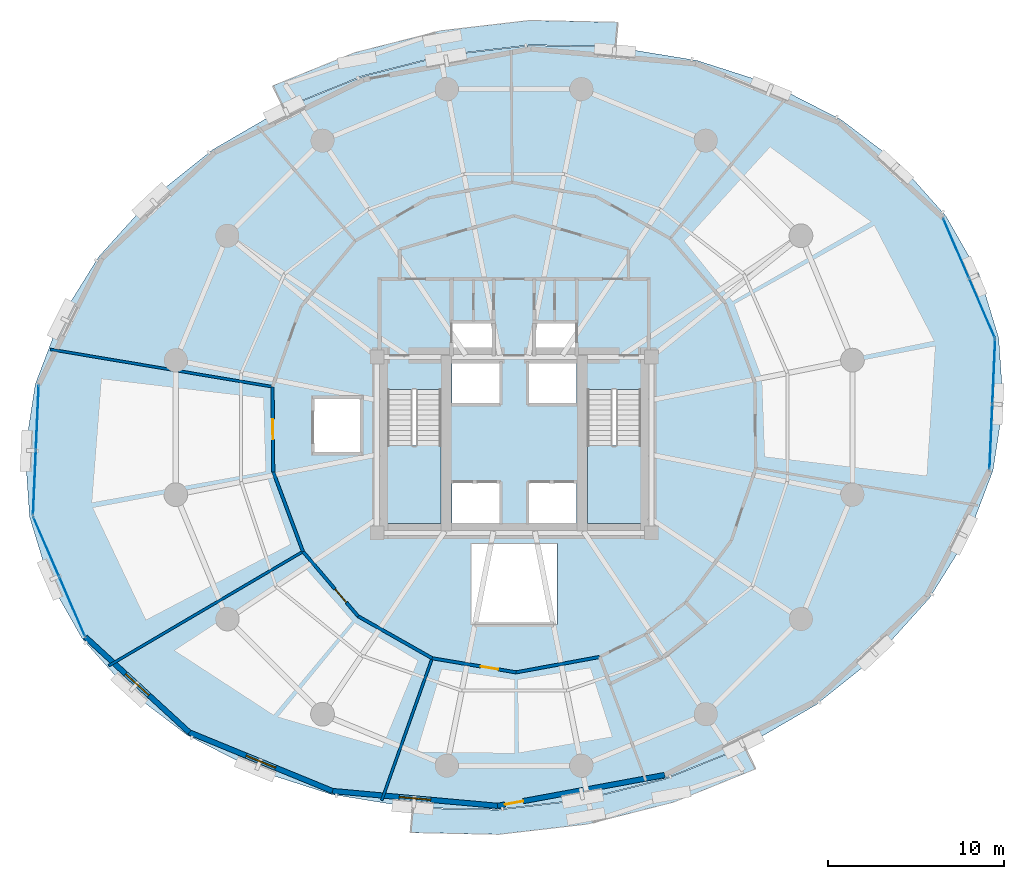
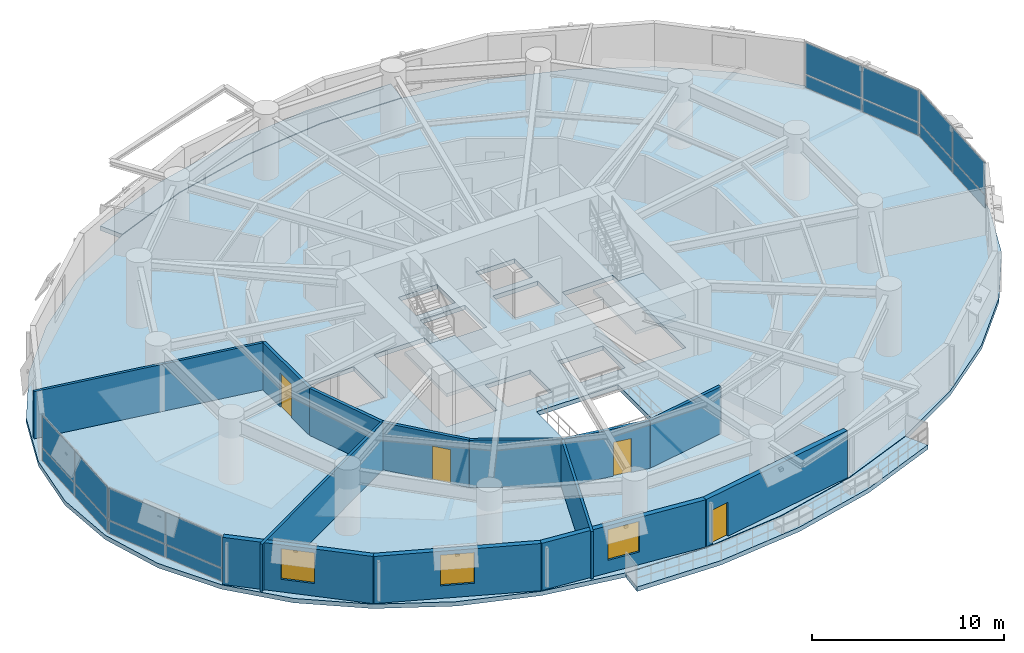
# One storey, part 11 of 17: 16 plates, 13 walls, 5 slabs, 4 doors, 3 windows, 7 openings, 6 elements without a shape of their own.
"""IFC4 building model written with IfcOpenShell, lengths in metres."""

from ifc_helpers import new_model, si_unit, direction, frame, frame_2d, origin, origin_2d, place, context, subcontext, project, spatial, polyline, rectangle, outline, extrude, material, layer, layer_set, type_object, element, fill, aggregate, save


model = new_model("IFC4")

# Units and contexts
model_context = context("Model", 3, precision=1e-05, world=origin(), true_north=direction((0.0, 1.0)))
body_context = subcontext(model_context, "Body", "Model", "MODEL_VIEW")
ifc_project = project(units=[si_unit("LENGTHUNIT", "METRE"), si_unit("AREAUNIT", "SQUARE_METRE"), si_unit("VOLUMEUNIT", "CUBIC_METRE"), si_unit("PLANEANGLEUNIT", "RADIAN"), si_unit("MASSUNIT", "GRAM", prefix="KILO"), si_unit("THERMODYNAMICTEMPERATUREUNIT", "KELVIN"), si_unit("POWERUNIT", "WATT")], contexts=[model_context])

# Site, building, storey
site_placement = place(None, origin())
site = spatial("IfcSite", under=ifc_project, at=site_placement, CompositionType="ELEMENT")
building_placement = place(site_placement, origin())
building = spatial("IfcBuilding", under=site, at=building_placement, Name="Ocrelia Relay Tower", CompositionType="ELEMENT")
storey_placement = place(building_placement, frame((0.0, 0.0, 76.199951171875)))
storey = spatial("IfcBuildingStorey", under=building, at=storey_placement, Name="L17", CompositionType="ELEMENT", Elevation=76.199951171875)

# Curtain wall, plates
ifc_material_1 = material(Name="Aluminium and solar-control low-E glass", Category="aluminium")
ifc_layer_1 = layer(ifc_material_1, 0.179931640625, Name="Aluminium and solar-control low-E glass")
ifc_layer_set_1 = layer_set([ifc_layer_1], Name="Aluminium and solar-control low-E glass")
curtain_wall_type = type_object("IfcCurtainWallType", Name="CW-SYS-Z1-DATA", PredefinedType="NOTDEFINED", material=ifc_layer_set_1)
curtain_wall_1_placement = place(storey_placement, origin())
curtain_wall_1 = element("IfcCurtainWall", 1, at=curtain_wall_1_placement, inside=storey, type_object=curtain_wall_type, Name="L17 Elliptical Tower Curtain Wall Bay 01", PredefinedType="NOTDEFINED")
ifc_material_2 = material(Name="Clear double-glazed low-E glass", Category="glass")
ifc_layer_2 = layer(ifc_material_2, 0.031982421875, Name="Clear double-glazed low-E glass")
ifc_layer_set_2 = layer_set([ifc_layer_2], Name="Clear double-glazed low-E glass")
plate_type = type_object("IfcPlateType", Name="CW-SYS-Z1-DATA-PNL", PredefinedType="CURTAIN_PANEL", material=ifc_layer_set_2)
plate_1_placement = place(storey_placement, frame((60.58935546875, 32.7734375, 0.06494140625), z_axis=(0.0, 0.0, 1.0), x_axis=(-0.397313471249, 0.917682954818, 0.0)))
plate_1 = element("IfcPlate", 2, at=plate_1_placement, type_object=plate_type, Name="CW-Z1 panel 1.1", PredefinedType="CURTAIN_PANEL", context=body_context, shape_type="SweptSolid", body=[
    extrude(rectangle(XDim=3.6328125, YDim=0.031982421875, at=origin_2d()), origin(), (0.0, 0.0, 1.0), 0.802490234375),
])
plate_2_placement = place(storey_placement, frame((60.58935546875, 32.7734375, 0.9326171875), z_axis=(0.0, 0.0, 1.0), x_axis=(-0.397313471249, 0.917682954818, 0.0)))
plate_2 = element("IfcPlate", 3, at=plate_2_placement, type_object=plate_type, Name="CW-Z1 panel 1.2", PredefinedType="CURTAIN_PANEL", context=body_context, shape_type="SweptSolid", body=[
    extrude(rectangle(XDim=3.6328125, YDim=0.031982421875, at=origin_2d()), origin(), (0.0, 0.0, 1.0), 2.00244140625),
])
plate_3_placement = place(storey_placement, frame((59.1181640625, 36.17138671875, 0.06494140625), z_axis=(0.0, 0.0, 1.0), x_axis=(-0.397313471249, 0.917682954818, 0.0)))
plate_3 = element("IfcPlate", 4, at=plate_3_placement, type_object=plate_type, Name="CW-Z1 panel 2.1", PredefinedType="CURTAIN_PANEL", context=body_context, shape_type="SweptSolid", body=[
    extrude(rectangle(XDim=3.6328125, YDim=0.031982421875, at=origin_2d()), origin(), (0.0, 0.0, 1.0), 0.802490234375),
])
plate_4_placement = place(storey_placement, frame((59.1181640625, 36.17138671875, 0.9326171875), z_axis=(0.0, 0.0, 1.0), x_axis=(-0.397313471249, 0.917682954818, 0.0)))
plate_4 = element("IfcPlate", 5, at=plate_4_placement, type_object=plate_type, Name="CW-Z1 panel 2.2", PredefinedType="CURTAIN_PANEL", context=body_context, shape_type="SweptSolid", body=[
    extrude(rectangle(XDim=3.6328125, YDim=0.031982421875, at=origin_2d()), origin(), (0.0, 0.0, 1.0), 2.00244140625),
])
aggregate(curtain_wall_1, [plate_1, plate_2, plate_3, plate_4])

curtain_wall_2_placement = place(storey_placement, origin())
curtain_wall_2 = element("IfcCurtainWall", 6, at=curtain_wall_2_placement, inside=storey, type_object=curtain_wall_type, Name="L17 Elliptical Tower Curtain Wall Bay 09", PredefinedType="NOTDEFINED")
plate_5_placement = place(storey_placement, frame((6.90576171875, 26.54150390625, 0.06494140625), z_axis=(0.0, 0.0, 1.0), x_axis=(-0.04379656013, -0.999040470312, 0.0)))
plate_5 = element("IfcPlate", 7, at=plate_5_placement, type_object=plate_type, Name="CW-Z1 panel 1.1", PredefinedType="CURTAIN_PANEL", context=body_context, shape_type="SweptSolid", body=[
    extrude(rectangle(XDim=3.6328125, YDim=0.031982421875, at=origin_2d()), origin(), (0.0, 0.0, 1.0), 0.802490234375),
])
plate_6_placement = place(storey_placement, frame((6.90576171875, 26.54150390625, 0.9326171875), z_axis=(0.0, 0.0, 1.0), x_axis=(-0.04379656013, -0.999040470312, 0.0)))
plate_6 = element("IfcPlate", 8, at=plate_6_placement, type_object=plate_type, Name="CW-Z1 panel 1.2", PredefinedType="CURTAIN_PANEL", context=body_context, shape_type="SweptSolid", body=[
    extrude(rectangle(XDim=3.6328125, YDim=0.031982421875, at=origin_2d()), origin(), (0.0, 0.0, 1.0), 2.00244140625),
])
plate_7_placement = place(storey_placement, frame((6.74365234375, 22.84228515625, 0.06494140625), z_axis=(0.0, 0.0, 1.0), x_axis=(-0.04379656013, -0.999040470312, 0.0)))
plate_7 = element("IfcPlate", 9, at=plate_7_placement, type_object=plate_type, Name="CW-Z1 panel 2.1", PredefinedType="CURTAIN_PANEL", context=body_context, shape_type="SweptSolid", body=[
    extrude(rectangle(XDim=3.6328125, YDim=0.031982421875, at=origin_2d()), origin(), (0.0, 0.0, 1.0), 0.802490234375),
])
plate_8_placement = place(storey_placement, frame((6.74365234375, 22.84228515625, 0.9326171875), z_axis=(0.0, 0.0, 1.0), x_axis=(-0.04379656013, -0.999040470312, 0.0)))
plate_8 = element("IfcPlate", 10, at=plate_8_placement, type_object=plate_type, Name="CW-Z1 panel 2.2", PredefinedType="CURTAIN_PANEL", context=body_context, shape_type="SweptSolid", body=[
    extrude(rectangle(XDim=3.6328125, YDim=0.031982421875, at=origin_2d()), origin(), (0.0, 0.0, 1.0), 2.00244140625),
])
aggregate(curtain_wall_2, [plate_5, plate_6, plate_7, plate_8])

curtain_wall_3_placement = place(storey_placement, origin())
curtain_wall_3 = element("IfcCurtainWall", 11, at=curtain_wall_3_placement, inside=storey, type_object=curtain_wall_type, Name="L17 Elliptical Tower Curtain Wall Bay 10", PredefinedType="NOTDEFINED")
plate_9_placement = place(storey_placement, frame((7.41064453125, 19.2265625, 0.06494140625), z_axis=(0.0, 0.0, 1.0), x_axis=(0.397313471249, -0.917682954818, 0.0)))
plate_9 = element("IfcPlate", 12, at=plate_9_placement, type_object=plate_type, Name="CW-Z1 panel 1.1", PredefinedType="CURTAIN_PANEL", context=body_context, shape_type="SweptSolid", body=[
    extrude(rectangle(XDim=3.6328125, YDim=0.031982421875, at=origin_2d()), origin(), (0.0, 0.0, 1.0), 0.802490234375),
])
plate_10_placement = place(storey_placement, frame((7.41064453125, 19.2265625, 0.9326171875), z_axis=(0.0, 0.0, 1.0), x_axis=(0.397313471249, -0.917682954818, 0.0)))
plate_10 = element("IfcPlate", 13, at=plate_10_placement, type_object=plate_type, Name="CW-Z1 panel 1.2", PredefinedType="CURTAIN_PANEL", context=body_context, shape_type="SweptSolid", body=[
    extrude(rectangle(XDim=3.6328125, YDim=0.031982421875, at=origin_2d()), origin(), (0.0, 0.0, 1.0), 2.00244140625),
])
plate_11_placement = place(storey_placement, frame((8.8818359375, 15.82861328125, 0.06494140625), z_axis=(0.0, 0.0, 1.0), x_axis=(0.397313471249, -0.917682954818, 0.0)))
plate_11 = element("IfcPlate", 14, at=plate_11_placement, type_object=plate_type, Name="CW-Z1 panel 2.1", PredefinedType="CURTAIN_PANEL", context=body_context, shape_type="SweptSolid", body=[
    extrude(rectangle(XDim=3.6328125, YDim=0.031982421875, at=origin_2d()), origin(), (0.0, 0.0, 1.0), 0.802490234375),
])
plate_12_placement = place(storey_placement, frame((8.8818359375, 15.82861328125, 0.9326171875), z_axis=(0.0, 0.0, 1.0), x_axis=(0.397313471249, -0.917682954818, 0.0)))
plate_12 = element("IfcPlate", 15, at=plate_12_placement, type_object=plate_type, Name="CW-Z1 panel 2.2", PredefinedType="CURTAIN_PANEL", context=body_context, shape_type="SweptSolid", body=[
    extrude(rectangle(XDim=3.6328125, YDim=0.031982421875, at=origin_2d()), origin(), (0.0, 0.0, 1.0), 2.00244140625),
])
aggregate(curtain_wall_3, [plate_9, plate_10, plate_11, plate_12])

curtain_wall_4_placement = place(storey_placement, origin())
curtain_wall_4 = element("IfcCurtainWall", 16, at=curtain_wall_4_placement, inside=storey, type_object=curtain_wall_type, Name="L17 Elliptical Tower Curtain Wall Bay 18", PredefinedType="NOTDEFINED")
plate_13_placement = place(storey_placement, frame((61.09423828125, 25.45849609375, 0.06494140625), z_axis=(0.0, 0.0, 1.0), x_axis=(0.04379656013, 0.999040470312, 0.0)))
plate_13 = element("IfcPlate", 17, at=plate_13_placement, type_object=plate_type, Name="CW-Z1 panel 1.1", PredefinedType="CURTAIN_PANEL", context=body_context, shape_type="SweptSolid", body=[
    extrude(rectangle(XDim=3.6328125, YDim=0.031982421875, at=origin_2d()), origin(), (0.0, 0.0, 1.0), 0.802490234375),
])
plate_14_placement = place(storey_placement, frame((61.09423828125, 25.45849609375, 0.9326171875), z_axis=(0.0, 0.0, 1.0), x_axis=(0.04379656013, 0.999040470312, 0.0)))
plate_14 = element("IfcPlate", 18, at=plate_14_placement, type_object=plate_type, Name="CW-Z1 panel 1.2", PredefinedType="CURTAIN_PANEL", context=body_context, shape_type="SweptSolid", body=[
    extrude(rectangle(XDim=3.6328125, YDim=0.031982421875, at=origin_2d()), origin(), (0.0, 0.0, 1.0), 2.00244140625),
])
plate_15_placement = place(storey_placement, frame((61.25634765625, 29.15771484375, 0.06494140625), z_axis=(0.0, 0.0, 1.0), x_axis=(0.04379656013, 0.999040470312, 0.0)))
plate_15 = element("IfcPlate", 19, at=plate_15_placement, type_object=plate_type, Name="CW-Z1 panel 2.1", PredefinedType="CURTAIN_PANEL", context=body_context, shape_type="SweptSolid", body=[
    extrude(rectangle(XDim=3.6328125, YDim=0.031982421875, at=origin_2d()), origin(), (0.0, 0.0, 1.0), 0.802490234375),
])
plate_16_placement = place(storey_placement, frame((61.25634765625, 29.15771484375, 0.9326171875), z_axis=(0.0, 0.0, 1.0), x_axis=(0.04379656013, 0.999040470312, 0.0)))
plate_16 = element("IfcPlate", 20, at=plate_16_placement, type_object=plate_type, Name="CW-Z1 panel 2.2", PredefinedType="CURTAIN_PANEL", context=body_context, shape_type="SweptSolid", body=[
    extrude(rectangle(XDim=3.6328125, YDim=0.031982421875, at=origin_2d()), origin(), (0.0, 0.0, 1.0), 2.00244140625),
])
aggregate(curtain_wall_4, [plate_13, plate_14, plate_15, plate_16])

# Slabs
ifc_material_3 = material(Name="Precast concrete C40/50", Category="concrete")
ifc_layer_3 = layer(ifc_material_3, 0.280029296875, Name="Precast concrete C40/50")
ifc_layer_set_3 = layer_set([ifc_layer_3], Name="Precast concrete C40/50")
slab_type_1 = type_object("IfcSlabType", Name="SL-BALC-280", PredefinedType="FLOOR", material=ifc_layer_set_3)
slab_1_placement = place(storey_placement, frame((0.0, 0.0, -0.280029296875)))
element("IfcSlab", 21, at=slab_1_placement, inside=storey, type_object=slab_type_1, Name="L17 Planted Loggia Balcony B1", PredefinedType="FLOOR", context=body_context, shape_type="SweptSolid", body=[
    extrude(outline(polyline([(39.756103515625, 47.63525390625), (37.347900390625, 47.684814453125), (34.939697265625, 47.734130859375), (30.094970703125, 47.173095703125), (25.36865234375, 45.968994140625), (23.13671875, 45.063720703125), (20.904541015625, 44.158203125), (20.291259765625, 45.409423828125), (22.612548828125, 46.35107421875), (24.933837890625, 47.29248046875), (29.84228515625, 48.54296875), (34.873779296875, 49.125732421875), (37.378173828125, 49.07421875), (39.8828125, 49.02294921875), (39.756103515625, 47.63525390625)])), origin(), (0.0, 0.0, 1.0), 0.280029296875),
])
slab_2_placement = place(storey_placement, frame((0.0, 0.0, -0.280029296875)))
element("IfcSlab", 22, at=slab_2_placement, inside=storey, type_object=slab_type_1, Name="L17 Planted Loggia Balcony B2", PredefinedType="FLOOR", context=body_context, shape_type="SweptSolid", body=[
    extrude(outline(polyline([(28.243896484375, 4.36474609375), (30.652099609375, 4.315185546875), (33.060302734375, 4.265869140625), (37.905029296875, 4.826904296875), (42.63134765625, 6.031005859375), (44.86328125, 6.936279296875), (47.095458984375, 7.841796875), (47.708740234375, 6.590576171875), (45.387451171875, 5.64892578125), (43.066162109375, 4.70751953125), (38.15771484375, 3.45703125), (33.126220703125, 2.874267578125), (30.621826171875, 2.92578125), (28.1171875, 2.97705078125), (28.243896484375, 4.36474609375)])), origin(), (0.0, 0.0, 1.0), 0.280029296875),
])
ifc_material_4 = material(Name="Concrete C50/60", Category="concrete")
ifc_layer_4 = layer(ifc_material_4, 0.280029296875, Name="Concrete C50/60")
ifc_layer_set_4 = layer_set([ifc_layer_4], Name="Concrete C50/60")
slab_type_2 = type_object("IfcSlabType", Name="SL-FLR-280", PredefinedType="FLOOR", material=ifc_layer_set_4)
slab_3_placement = place(storey_placement, frame((0.0, 0.0, -0.280029296875)))
element("IfcSlab", 23, at=slab_3_placement, inside=storey, type_object=slab_type_2, Name="L17 Elliptical Tower Floor Slab", PredefinedType="FLOOR", context=body_context, shape_type="SweptSolid", body=[
    extrude(outline(polyline([(61.53564453125, 31.07861328125), (60.440185546875, 34.6728515625), (58.541259765625, 38.00390625), (55.896728515625, 40.969970703125), (52.5869140625, 43.481201171875), (48.71240234375, 45.461181640625), (44.390625, 46.85009765625), (39.75341796875, 47.605224609375), (34.941162109375, 47.7041015625), (30.100341796875, 47.143310546875), (25.378173828125, 45.940185546875), (20.917724609375, 44.13134765625), (16.85498046875, 41.771484375), (13.313232421875, 38.932373046875), (10.39990234375, 35.7001953125), (8.20361328125, 32.173583984375), (6.791259765625, 28.459228515625), (6.20556640625, 24.670166015625), (6.46435546875, 20.92138671875), (7.559814453125, 17.3271484375), (9.458740234375, 13.99609375), (12.103271484375, 11.030029296875), (15.4130859375, 8.518798828125), (19.28759765625, 6.538818359375), (23.609375, 5.14990234375), (28.24658203125, 4.394775390625), (33.058837890625, 4.2958984375), (37.899658203125, 4.856689453125), (42.621826171875, 6.059814453125), (47.082275390625, 7.86865234375), (51.14501953125, 10.228515625), (54.686767578125, 13.067626953125), (57.60009765625, 16.2998046875), (59.79638671875, 19.826416015625), (61.208740234375, 23.540771484375), (61.79443359375, 27.329833984375), (61.53564453125, 31.07861328125)]), holes=[polyline([(26.81005859375, 28.14990234375), (26.81005859375, 20.550048828125), (29.85009765625, 20.550048828125), (29.85009765625, 28.14990234375), (26.81005859375, 28.14990234375)]), polyline([(38.159912109375, 28.14990234375), (38.159912109375, 20.550048828125), (41.199951171875, 20.550048828125), (41.199951171875, 28.14990234375), (38.159912109375, 28.14990234375)]), polyline([(30.4599609375, 20.550048828125), (33.159912109375, 20.550048828125), (33.159912109375, 22.85009765625), (30.4599609375, 22.85009765625), (30.4599609375, 20.550048828125)]), polyline([(34.840087890625, 20.550048828125), (37.5400390625, 20.550048828125), (37.5400390625, 22.85009765625), (34.840087890625, 22.85009765625), (34.840087890625, 20.550048828125)]), polyline([(30.4599609375, 27.35009765625), (33.159912109375, 27.35009765625), (33.159912109375, 29.64990234375), (30.4599609375, 29.64990234375), (30.4599609375, 27.35009765625)]), polyline([(34.840087890625, 27.35009765625), (37.5400390625, 27.35009765625), (37.5400390625, 29.64990234375), (34.840087890625, 29.64990234375), (34.840087890625, 27.35009765625)]), polyline([(30.5, 30.10009765625), (32.85009765625, 30.10009765625), (32.85009765625, 32.0), (30.5, 32.0), (30.5, 30.10009765625)]), polyline([(35.14990234375, 30.10009765625), (37.5, 30.10009765625), (37.5, 32.0), (35.14990234375, 32.0), (35.14990234375, 30.10009765625)]), polyline([(22.550048828125, 24.5), (25.35009765625, 24.5), (25.35009765625, 27.699951171875), (22.550048828125, 27.699951171875), (22.550048828125, 24.5)]), polyline([(31.550048828125, 14.800048828125), (36.449951171875, 14.800048828125), (36.449951171875, 19.39990234375), (31.550048828125, 19.39990234375), (31.550048828125, 14.800048828125)])]), origin(), (0.0, 0.0, 1.0), 0.280029296875),
])

# Stair, slab
stair_type = type_object("IfcStairType", Name="ST-DL-1420-R175", PredefinedType="HALF_TURN_STAIR", material=ifc_material_4)
stair_1_placement = place(storey_placement, origin())
stair_1 = element("IfcStair", 24, at=stair_1_placement, inside=storey, type_object=stair_type, Name="L17 West Core Exit Stair ST1", PredefinedType="HALF_TURN_STAIR")
ifc_layer_5 = layer(ifc_material_4, 0.199951171875, Name="Concrete C50/60")
ifc_layer_set_5 = layer_set([ifc_layer_5], Name="Concrete C50/60")
slab_type_3 = type_object("IfcSlabType", Name="SL-LANDING-200", PredefinedType="LANDING", material=ifc_layer_set_5)
slab_4_placement = place(storey_placement, frame((0.0, 0.0, 1.900146484375)))
slab_4 = element("IfcSlab", 25, at=slab_4_placement, type_object=slab_type_3, Name="ST1 landing 1", PredefinedType="LANDING", context=body_context, shape_type="SweptSolid", body=[
    extrude(outline(polyline([(26.81005859375, 24.9599609375), (26.81005859375, 20.550048828125), (29.85009765625, 20.550048828125), (29.85009765625, 24.9599609375), (26.81005859375, 24.9599609375)])), origin(), (0.0, 0.0, 1.0), 0.199951171875),
])
aggregate(stair_1, [slab_4])

stair_2_placement = place(storey_placement, origin())
stair_2 = element("IfcStair", 26, at=stair_2_placement, inside=storey, type_object=stair_type, Name="L17 East Core Exit Stair ST2", PredefinedType="HALF_TURN_STAIR")
slab_5_placement = place(storey_placement, frame((0.0, 0.0, 1.900146484375)))
slab_5 = element("IfcSlab", 27, at=slab_5_placement, type_object=slab_type_3, Name="ST2 landing 1", PredefinedType="LANDING", context=body_context, shape_type="SweptSolid", body=[
    extrude(outline(polyline([(38.159912109375, 24.9599609375), (38.159912109375, 20.550048828125), (41.199951171875, 20.550048828125), (41.199951171875, 24.9599609375), (38.159912109375, 24.9599609375)])), origin(), (0.0, 0.0, 1.0), 0.199951171875),
])
aggregate(stair_2, [slab_5])

# Wall, opening, door
ifc_material_5 = material(Name="Gypsum Fireboard Partition EI60", Category="gypsum")
ifc_layer_6 = layer(ifc_material_5, 0.179931640625, Name="Gypsum Fireboard Partition EI60")
ifc_layer_set_6 = layer_set([ifc_layer_6], Name="Gypsum Fireboard Partition EI60")
wall_type_1 = type_object("IfcWallType", Name="W-CORR-EI60-180", PredefinedType="PARTITIONING", material=ifc_layer_set_6)
wall_1_placement = place(storey_placement, frame((20.27294921875, 28.309326171875, 0.0), z_axis=(0.0, 0.0, 1.0), x_axis=(0.007827647661, -0.999969363497, 0.0)))
wall_1 = element("IfcWall", 28, at=wall_1_placement, inside=storey, type_object=wall_type_1, Name="L17 Colocation Data Hall B Corridor Partition 1", PredefinedType="PARTITIONING", context=body_context, shape_type="SweptSolid", body=[
    extrude(rectangle(XDim=4.83447265625, YDim=0.179931640625, at=frame_2d((2.417236328125, 0.0))), origin(), (0.0, 0.0, 1.0), 3.0),
])
opening_1_placement = place(wall_1_placement, frame((1.84228515625, 0.0, 0.0)))
opening_1 = element("IfcOpeningElement", 29, at=opening_1_placement, cuts=wall_1, Name="Opening D-RM115", PredefinedType="OPENING", context=body_context, shape_type="SweptSolid", body=[
    extrude(rectangle(XDim=1.14990234375, YDim=2.14990234375, at=frame_2d((0.574951171875, 1.074951171875))), frame((0.0, 0.10009765625, 0.0), z_axis=(0.0, -1.0, 0.0), x_axis=(1.0, 0.0, 0.0)), (0.0, 0.0, 1.0), 0.199951171875),
])
ifc_material_6 = material(Name="Wide acoustic oak veneer fire door", Category="wood")
door_type_1 = type_object("IfcDoorType", Name="DR-ROOM-1150", OperationType="NOTDEFINED", PredefinedType="DOOR", material=ifc_material_6)
door_1_placement = place(opening_1_placement, origin())
door_1 = element("IfcDoor", 30, at=door_1_placement, inside=storey, type_object=door_type_1, Name="L17 Colocation Data Hall B Entrance Door", OperationType="SINGLE_SWING_LEFT", OverallHeight=2.14990234375, OverallWidth=1.14990234375, PredefinedType="DOOR", context=body_context, shape_type="SweptSolid", body=[
    extrude(rectangle(XDim=1.14990234375, YDim=2.14990234375, at=frame_2d((0.574951171875, 1.074951171875))), frame((0.0, 0.02490234375, 0.0), z_axis=(0.0, -1.0, 0.0), x_axis=(1.0, 0.0, 0.0)), (0.0, 0.0, 1.0), 0.050048828125),
])
fill(opening_1, door_1)

# Wall
wall_2_placement = place(storey_placement, frame((20.310791015625, 23.47509765625, 0.0), z_axis=(0.0, 0.0, 1.0), x_axis=(0.349423780352, -0.936964792148, 0.0)))
element("IfcWall", 31, at=wall_2_placement, inside=storey, type_object=wall_type_1, Name="L17 Colocation Data Hall B Corridor Partition 2", PredefinedType="PARTITIONING", context=body_context, shape_type="SweptSolid", body=[
    extrude(rectangle(XDim=4.834228515625, YDim=0.179931640625, at=frame_2d((2.4169921875, 0.0))), origin(), (0.0, 0.0, 1.0), 3.0),
])

# Wall, opening, door
wall_3_placement = place(storey_placement, frame((22.0, 18.945556640625, 0.0), z_axis=(0.0, 0.0, 1.0), x_axis=(0.648772052091, -0.760982801662, 0.0)))
wall_3 = element("IfcWall", 32, at=wall_3_placement, inside=storey, type_object=wall_type_1, Name="L17 Carrier Briefing Room Corridor Partition 1", PredefinedType="PARTITIONING", context=body_context, shape_type="SweptSolid", body=[
    extrude(rectangle(XDim=4.83447265625, YDim=0.179931640625, at=frame_2d((2.417236328125, 0.0))), origin(), (0.0, 0.0, 1.0), 3.0),
])
opening_2_placement = place(wall_3_placement, frame((2.80078125, 0.0, 0.0)))
opening_2 = element("IfcOpeningElement", 33, at=opening_2_placement, cuts=wall_3, Name="Opening D-RM100", PredefinedType="OPENING", context=body_context, shape_type="SweptSolid", body=[
    extrude(rectangle(XDim=1.0, YDim=2.14990234375, at=frame_2d((0.5, 1.074951171875))), frame((0.0, 0.10009765625, 0.0), z_axis=(0.0, -1.0, 0.0), x_axis=(1.0, 0.0, 0.0)), (0.0, 0.0, 1.0), 0.199951171875),
])
ifc_material_7 = material(Name="Acoustic oak veneer fire door", Category="wood")
door_type_2 = type_object("IfcDoorType", Name="DR-ROOM-FD60-1000", OperationType="NOTDEFINED", PredefinedType="DOOR", material=ifc_material_7)
door_2_placement = place(opening_2_placement, origin())
door_2 = element("IfcDoor", 34, at=door_2_placement, inside=storey, type_object=door_type_2, Name="L17 Carrier Briefing Room Entrance Door", OperationType="SINGLE_SWING_RIGHT", OverallHeight=2.14990234375, OverallWidth=1.0, PredefinedType="DOOR", context=body_context, shape_type="SweptSolid", body=[
    extrude(rectangle(XDim=1.0, YDim=2.14990234375, at=frame_2d((0.5, 1.074951171875))), frame((0.0, 0.02490234375, 0.0), z_axis=(0.0, -1.0, 0.0), x_axis=(1.0, 0.0, 0.0)), (0.0, 0.0, 1.0), 0.050048828125),
])
fill(opening_2, door_2)

# Wall
wall_4_placement = place(storey_placement, frame((25.136474609375, 15.2666015625, 0.0), z_axis=(0.0, 0.0, 1.0), x_axis=(0.869944192354, -0.493150182186, 0.0)))
element("IfcWall", 35, at=wall_4_placement, inside=storey, type_object=wall_type_1, Name="L17 Carrier Briefing Room Corridor Partition 2", PredefinedType="PARTITIONING", context=body_context, shape_type="SweptSolid", body=[
    extrude(rectangle(XDim=4.834228515625, YDim=0.179931640625, at=frame_2d((2.4169921875, 0.0))), origin(), (0.0, 0.0, 1.0), 3.0),
])

# Wall, opening, door
wall_5_placement = place(storey_placement, frame((29.342041015625, 12.882568359375, 0.0), z_axis=(0.0, 0.0, 1.0), x_axis=(0.986134744465, -0.165946575015, 0.0)))
wall_5 = element("IfcWall", 36, at=wall_5_placement, inside=storey, type_object=wall_type_1, Name="L17 Shift Staff Lounge Corridor Partition 1", PredefinedType="PARTITIONING", context=body_context, shape_type="SweptSolid", body=[
    extrude(rectangle(XDim=4.83447265625, YDim=0.179931640625, at=frame_2d((2.417236328125, 0.0))), origin(), (0.0, 0.0, 1.0), 3.0),
])
opening_3_placement = place(wall_5_placement, frame((2.80078125, 0.0, 0.0)))
opening_3 = element("IfcOpeningElement", 37, at=opening_3_placement, cuts=wall_5, Name="Opening D-RM100", PredefinedType="OPENING", context=body_context, shape_type="SweptSolid", body=[
    extrude(rectangle(XDim=1.0, YDim=2.14990234375, at=frame_2d((0.5, 1.074951171875))), frame((0.0, 0.10009765625, 0.0), z_axis=(0.0, -1.0, 0.0), x_axis=(1.0, 0.0, 0.0)), (0.0, 0.0, 1.0), 0.199951171875),
])
door_3_placement = place(opening_3_placement, origin())
door_3 = element("IfcDoor", 38, at=door_3_placement, inside=storey, type_object=door_type_2, Name="L17 Shift Staff Lounge Entrance Door", OperationType="SINGLE_SWING_LEFT", OverallHeight=2.14990234375, OverallWidth=1.0, PredefinedType="DOOR", context=body_context, shape_type="SweptSolid", body=[
    extrude(rectangle(XDim=1.0, YDim=2.14990234375, at=frame_2d((0.5, 1.074951171875))), frame((0.0, 0.02490234375, 0.0), z_axis=(0.0, -1.0, 0.0), x_axis=(1.0, 0.0, 0.0)), (0.0, 0.0, 1.0), 0.050048828125),
])
fill(opening_3, door_3)

# Wall
wall_6_placement = place(storey_placement, frame((34.109375, 12.080322265625, 0.0), z_axis=(0.0, 0.0, 1.0), x_axis=(0.983409356077, 0.181400216044, 0.0)))
element("IfcWall", 39, at=wall_6_placement, inside=storey, type_object=wall_type_1, Name="L17 Shift Staff Lounge Corridor Partition 2", PredefinedType="PARTITIONING", context=body_context, shape_type="SweptSolid", body=[
    extrude(rectangle(XDim=4.83447265625, YDim=0.179931640625, at=frame_2d((2.417236328125, 0.0))), origin(), (0.0, 0.0, 1.0), 3.0),
])

# Wall, opening, window
ifc_material_8 = material(Name="Precast concrete C40/50 with oxide terracotta", Category="masonry")
ifc_layer_7 = layer(ifc_material_8, 0.300048828125, Name="Precast concrete C40/50 with oxide terracotta")
ifc_layer_set_7 = layer_set([ifc_layer_7], Name="Precast concrete C40/50 with oxide terracotta")
wall_type_2 = type_object("IfcWallType", Name="W-EXT-TERR-300", PredefinedType="SOLIDWALL", material=ifc_layer_set_7)
wall_7_placement = place(storey_placement, frame((9.631103515625, 14.09765625, 0.0), z_axis=(0.0, 0.0, 1.0), x_axis=(0.736682732999, -0.676238531068, 0.0)))
wall_7 = element("IfcWall", 40, at=wall_7_placement, inside=storey, type_object=wall_type_2, Name="L17 Oxide Terracotta Facade Wall 11", PredefinedType="SOLIDWALL", context=body_context, shape_type="SweptSolid", body=[
    extrude(rectangle(XDim=8.021728515625, YDim=0.300048828125, at=frame_2d((4.0107421875, 0.0))), origin(), (0.0, 0.0, 1.0), 3.0),
])
opening_4_placement = place(wall_7_placement, frame((3.111083984375, 0.0, 0.800048828125)))
opening_4 = element("IfcOpeningElement", 41, at=opening_4_placement, cuts=wall_7, Name="Opening W-02", PredefinedType="OPENING", context=body_context, shape_type="SweptSolid", body=[
    extrude(rectangle(XDim=1.800048828125, YDim=1.949951171875, at=frame_2d((0.89990234375, 0.97509765625))), frame((0.0, 0.16015625, 0.0), z_axis=(0.0, -1.0, 0.0), x_axis=(1.0, 0.0, 0.0)), (0.0, 0.0, 1.0), 0.320068359375),
])
window_type = type_object("IfcWindowType", Name="WIN-Z1-1800x2100", PartitioningType="DOUBLE_PANEL_VERTICAL", PredefinedType="WINDOW", material=ifc_material_2)
window_1_placement = place(opening_4_placement, origin())
window_1 = element("IfcWindow", 42, at=window_1_placement, inside=storey, type_object=window_type, Name="L17 Facade Module Window 11", OverallHeight=1.949951171875, OverallWidth=1.800048828125, PartitioningType="SINGLE_PANEL", PredefinedType="WINDOW", context=body_context, shape_type="SweptSolid", body=[
    extrude(rectangle(XDim=1.800048828125, YDim=1.949951171875, at=frame_2d((0.89990234375, 0.97509765625))), frame((0.0, 0.030029296875, 0.0), z_axis=(0.0, -1.0, 0.0), x_axis=(1.0, 0.0, 0.0)), (0.0, 0.0, 1.0), 0.06005859375),
])
fill(opening_4, window_1)

wall_8_placement = place(storey_placement, frame((15.54052734375, 8.673095703125, 0.0), z_axis=(0.0, 0.0, 1.0), x_axis=(0.925289325161, -0.379262000131, 0.0)))
wall_8 = element("IfcWall", 43, at=wall_8_placement, inside=storey, type_object=wall_type_2, Name="L17 Oxide Terracotta Facade Wall 12", PredefinedType="SOLIDWALL", context=body_context, shape_type="SweptSolid", body=[
    extrude(rectangle(XDim=8.792724609375, YDim=0.300048828125, at=frame_2d((4.396484375, 0.0))), origin(), (0.0, 0.0, 1.0), 3.0),
])
opening_5_placement = place(wall_8_placement, frame((3.49609375, 0.0, 0.800048828125)))
opening_5 = element("IfcOpeningElement", 44, at=opening_5_placement, cuts=wall_8, Name="Opening W-02", PredefinedType="OPENING", context=body_context, shape_type="SweptSolid", body=[
    extrude(rectangle(XDim=1.800048828125, YDim=1.949951171875, at=frame_2d((0.89990234375, 0.97509765625))), frame((0.0, 0.16015625, 0.0), z_axis=(0.0, -1.0, 0.0), x_axis=(1.0, 0.0, 0.0)), (0.0, 0.0, 1.0), 0.320068359375),
])
window_2_placement = place(opening_5_placement, origin())
window_2 = element("IfcWindow", 45, at=window_2_placement, inside=storey, type_object=window_type, Name="L17 Facade Module Window 12", OverallHeight=1.949951171875, OverallWidth=1.800048828125, PartitioningType="SINGLE_PANEL", PredefinedType="WINDOW", context=body_context, shape_type="SweptSolid", body=[
    extrude(rectangle(XDim=1.800048828125, YDim=1.949951171875, at=frame_2d((0.89990234375, 0.97509765625))), frame((0.0, 0.030029296875, 0.0), z_axis=(0.0, -1.0, 0.0), x_axis=(1.0, 0.0, 0.0)), (0.0, 0.0, 1.0), 0.06005859375),
])
fill(opening_5, window_2)

wall_9_placement = place(storey_placement, frame((23.67626953125, 5.33837890625, 0.0), z_axis=(0.0, 0.0, 1.0), x_axis=(0.995991198561, -0.089451285003, 0.0)))
wall_9 = element("IfcWall", 46, at=wall_9_placement, inside=storey, type_object=wall_type_2, Name="L17 Oxide Terracotta Facade Wall 13", PredefinedType="SOLIDWALL", context=body_context, shape_type="SweptSolid", body=[
    extrude(rectangle(XDim=9.4189453125, YDim=0.300048828125, at=frame_2d((4.70947265625, 0.0))), origin(), (0.0, 0.0, 1.0), 3.0),
])
opening_6_placement = place(wall_9_placement, frame((3.80908203125, 0.0, 0.800048828125)))
opening_6 = element("IfcOpeningElement", 47, at=opening_6_placement, cuts=wall_9, Name="Opening W-02", PredefinedType="OPENING", context=body_context, shape_type="SweptSolid", body=[
    extrude(rectangle(XDim=1.800048828125, YDim=1.949951171875, at=frame_2d((0.89990234375, 0.97509765625))), frame((0.0, 0.16015625, 0.0), z_axis=(0.0, -1.0, 0.0), x_axis=(1.0, 0.0, 0.0)), (0.0, 0.0, 1.0), 0.320068359375),
])
window_3_placement = place(opening_6_placement, origin())
window_3 = element("IfcWindow", 48, at=window_3_placement, inside=storey, type_object=window_type, Name="L17 Facade Module Window 13", OverallHeight=1.949951171875, OverallWidth=1.800048828125, PartitioningType="SINGLE_PANEL", PredefinedType="WINDOW", context=body_context, shape_type="SweptSolid", body=[
    extrude(rectangle(XDim=1.800048828125, YDim=1.949951171875, at=frame_2d((0.89990234375, 0.97509765625))), frame((0.0, 0.030029296875, 0.0), z_axis=(0.0, -1.0, 0.0), x_axis=(1.0, 0.0, 0.0)), (0.0, 0.0, 1.0), 0.06005859375),
])
fill(opening_6, window_3)

# Wall, opening, door
wall_10_placement = place(storey_placement, frame((33.057373046875, 4.495849609375, 0.0), z_axis=(0.0, 0.0, 1.0), x_axis=(0.983412379237, 0.18138382608, 0.0)))
wall_10 = element("IfcWall", 49, at=wall_10_placement, inside=storey, type_object=wall_type_2, Name="L17 Oxide Terracotta Facade Wall 14", PredefinedType="SOLIDWALL", context=body_context, shape_type="SweptSolid", body=[
    extrude(rectangle(XDim=9.65478515625, YDim=0.300048828125, at=frame_2d((4.827392578125, 0.0))), origin(), (0.0, 0.0, 1.0), 3.0),
])
opening_7_placement = place(wall_10_placement, frame((0.429931640625, 0.0, 0.0)))
opening_7 = element("IfcOpeningElement", 50, at=opening_7_placement, cuts=wall_10, Name="Opening DB-105", PredefinedType="OPENING", context=body_context, shape_type="SweptSolid", body=[
    extrude(rectangle(XDim=1.050048828125, YDim=2.14990234375, at=frame_2d((0.52490234375, 1.074951171875))), frame((0.0, 0.16015625, 0.0), z_axis=(0.0, -1.0, 0.0), x_axis=(1.0, 0.0, 0.0)), (0.0, 0.0, 1.0), 0.320068359375),
])
ifc_material_9 = material(Name="Thermally broken aluminium and clear glass", Category="aluminium")
door_type_3 = type_object("IfcDoorType", Name="DR-BALC-1050", OperationType="NOTDEFINED", PredefinedType="DOOR", material=ifc_material_9)
door_4_placement = place(opening_7_placement, origin())
door_4 = element("IfcDoor", 51, at=door_4_placement, inside=storey, type_object=door_type_3, Name="L17 Planted Loggia Balcony Door B2", OperationType="SINGLE_SWING_LEFT", OverallHeight=2.14990234375, OverallWidth=1.050048828125, PredefinedType="DOOR", context=body_context, shape_type="SweptSolid", body=[
    extrude(rectangle(XDim=1.050048828125, YDim=2.14990234375, at=frame_2d((0.52490234375, 1.074951171875))), frame((0.0, 0.02490234375, 0.0), z_axis=(0.0, -1.0, 0.0), x_axis=(1.0, 0.0, 0.0)), (0.0, 0.0, 1.0), 0.050048828125),
])
fill(opening_7, door_4)

# Walls
ifc_material_10 = material(Name="Acoustic Fireboard Partition EI60", Category="gypsum")
ifc_layer_8 = layer(ifc_material_10, 0.14990234375, Name="Acoustic Fireboard Partition EI60")
ifc_layer_set_8 = layer_set([ifc_layer_8], Name="Acoustic Fireboard Partition EI60")
wall_type_3 = type_object("IfcWallType", Name="W-PART-150", PredefinedType="PARTITIONING", material=ifc_layer_set_8)
wall_11_placement = place(storey_placement, frame((20.27294921875, 28.309326171875, 0.0), z_axis=(0.0, 0.0, 1.0), x_axis=(-0.986140728359, 0.165911011907, 0.0)))
element("IfcWall", 52, at=wall_11_placement, inside=storey, type_object=wall_type_3, Name="L17 Cable Drum Store Radial Partition", PredefinedType="PARTITIONING", context=body_context, shape_type="SweptSolid", body=[
    extrude(rectangle(XDim=12.80224609375, YDim=0.14990234375, at=frame_2d((6.401123046875, 0.0))), origin(), (0.0, 0.0, 1.0), 3.0),
])
wall_12_placement = place(storey_placement, frame((22.0, 18.945556640625, 0.0), z_axis=(0.0, 0.0, 1.0), x_axis=(-0.862073897638, -0.506782591464, 0.0)))
element("IfcWall", 53, at=wall_12_placement, inside=storey, type_object=wall_type_3, Name="L17 Colocation Data Hall B Radial Partition", PredefinedType="PARTITIONING", context=body_context, shape_type="SweptSolid", body=[
    extrude(rectangle(XDim=12.802490234375, YDim=0.14990234375, at=frame_2d((6.4013671875, 0.0))), origin(), (0.0, 0.0, 1.0), 3.0),
])
wall_13_placement = place(storey_placement, frame((29.342041015625, 12.882568359375, 0.0), z_axis=(0.0, 0.0, 1.0), x_axis=(-0.334621977583, -0.942352445807, 0.0)))
element("IfcWall", 54, at=wall_13_placement, inside=storey, type_object=wall_type_3, Name="L17 Carrier Briefing Room Radial Partition", PredefinedType="PARTITIONING", context=body_context, shape_type="SweptSolid", body=[
    extrude(rectangle(XDim=8.57275390625, YDim=0.14990234375, at=frame_2d((4.286376953125, 0.0))), origin(), (0.0, 0.0, 1.0), 3.0),
])

save(model, "model.ifc")
